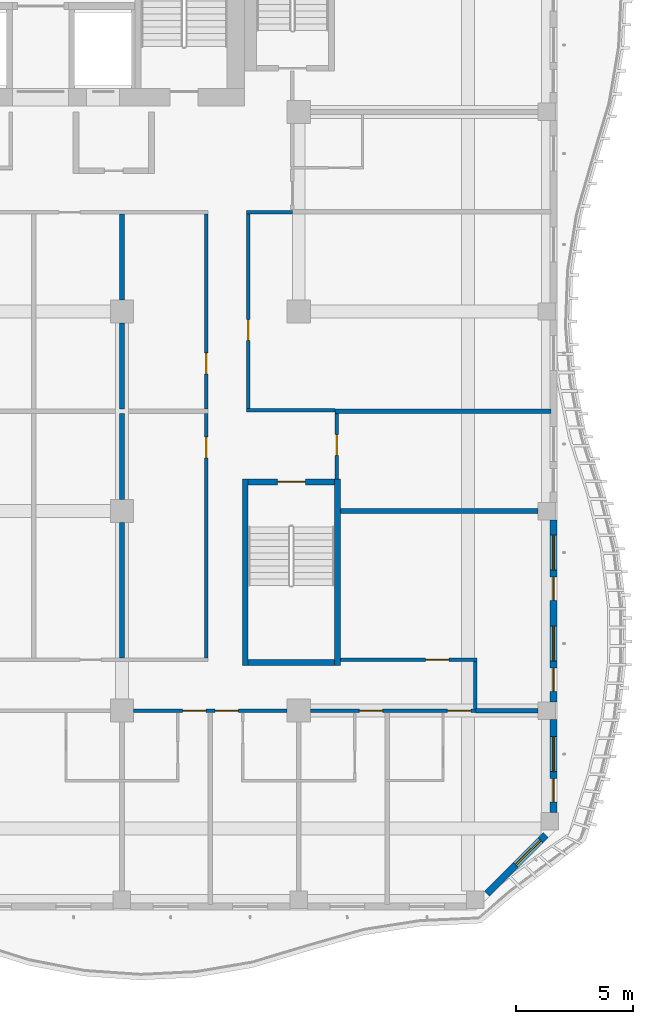
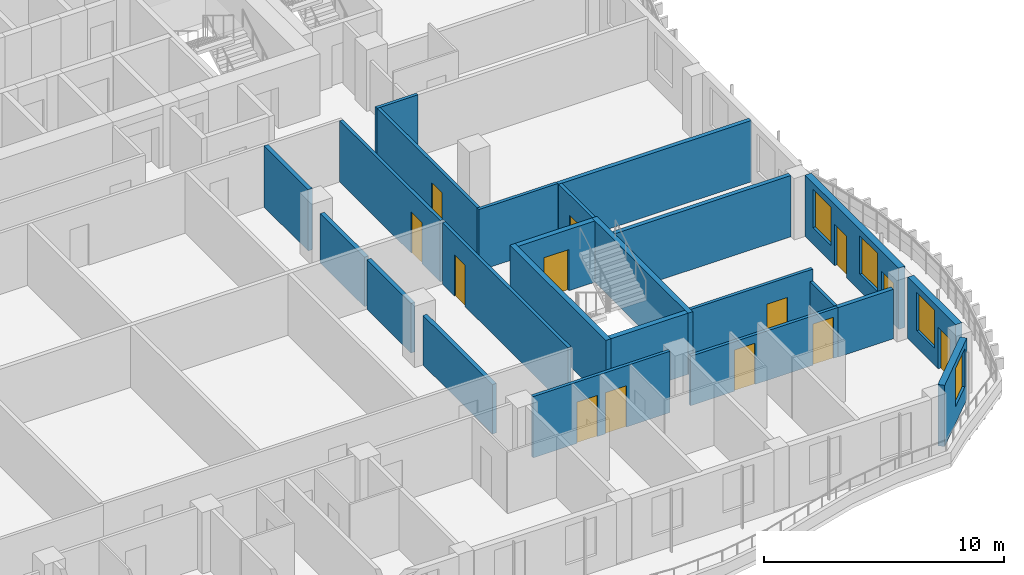
# One storey, part 5 of 21: 24 walls, 13 doors, 4 windows, 17 openings.
"""IFC4 building model written with IfcOpenShell, lengths in metres."""

from ifc_helpers import new_model, si_unit, direction, frame, frame_2d, origin, place, context, subcontext, project, spatial, rectangle, extrude, source, transform, mapped, material, layer, layer_set, type_object, element, fill, save


model = new_model("IFC4")

# Units and contexts
model_context = context("Model", 3, precision=1e-05, world=origin(), true_north=direction((0.0, 1.0)))
body_context = subcontext(model_context, "Body", "Model", "MODEL_VIEW")
ifc_project = project(units=[si_unit("LENGTHUNIT", "METRE"), si_unit("AREAUNIT", "SQUARE_METRE"), si_unit("VOLUMEUNIT", "CUBIC_METRE"), si_unit("PLANEANGLEUNIT", "RADIAN"), si_unit("MASSUNIT", "GRAM", prefix="KILO")], contexts=[model_context])

# Site, building, storey
site_placement = place(None, origin())
site = spatial("IfcSite", under=ifc_project, at=site_placement, CompositionType="ELEMENT")
building_placement = place(site_placement, origin())
building = spatial("IfcBuilding", under=site, at=building_placement, Name="Kilnfold Tower and Market Hall", CompositionType="ELEMENT")
storey_placement = place(building_placement, frame((0.0, 0.0, 216.89990234375)))
storey = spatial("IfcBuildingStorey", under=building, at=storey_placement, Name="L53", CompositionType="ELEMENT", Elevation=216.89990234375)

# Wall, openings, doors
ifc_material_1 = material(Name="Gypsum board on steel studs", Category="steel")
ifc_layer_1 = layer(ifc_material_1, 0.14990234375)
ifc_layer_set_1 = layer_set([ifc_layer_1], Name="Gypsum board on steel studs")
wall_type_1 = type_object("IfcWallType", Name="WALL CORRIDOR 150", PredefinedType="PARTITIONING", material=ifc_layer_set_1)
wall_1_placement = place(storey_placement, frame((13.0830078125, -17.699951171875, 0.0), z_axis=(0.0, 0.0, 1.0), x_axis=(1.0, 0.0, 0.0)))
wall_1 = element("IfcWall", 1, at=wall_1_placement, inside=storey, type_object=wall_type_1, Name="Partition LY31.5", PredefinedType="PARTITIONING", context=body_context, shape_type="SweptSolid", body=[
    extrude(rectangle(XDim=6.583984375, YDim=0.14990234375, at=frame_2d((3.2919921875, 0.0))), origin(), (0.0, 0.0, 1.0), 3.1201171875),
])
opening_1_placement = place(wall_1_placement, frame((2.10205078125, 0.0, 0.0)))
opening_1 = element("IfcOpeningElement", 2, at=opening_1_placement, cuts=wall_1, Name="Opening D1", PredefinedType="OPENING", context=body_context, shape_type="SweptSolid", body=[
    extrude(rectangle(XDim=1.0, YDim=2.10009765625, at=frame_2d((0.5, 1.050048828125))), frame((0.0, 0.0849609375, 0.0), z_axis=(0.0, -1.0, 0.0), x_axis=(1.0, 0.0, 0.0)), (0.0, 0.0, 1.0), 0.169921875),
])
opening_2_placement = place(wall_1_placement, frame((3.493896484375, 0.0, 0.0)))
opening_2 = element("IfcOpeningElement", 3, at=opening_2_placement, cuts=wall_1, Name="Opening D1", PredefinedType="OPENING", context=body_context, shape_type="SweptSolid", body=[
    extrude(rectangle(XDim=1.0, YDim=2.10009765625, at=frame_2d((0.5, 1.050048828125))), frame((0.0, 0.0849609375, 0.0), z_axis=(0.0, -1.0, 0.0), x_axis=(1.0, 0.0, 0.0)), (0.0, 0.0, 1.0), 0.169921875),
])
ifc_material_2 = material(Name="Timber veneer door leaf in steel frame", Category="steel")
door_type_1 = type_object("IfcDoorType", Name="DOOR ENTRY 1000 X2100", OperationType="NOTDEFINED", PredefinedType="DOOR", material=ifc_material_2)
door_1_placement = place(opening_1_placement, origin())
door_1 = element("IfcDoor", 4, at=door_1_placement, inside=storey, type_object=door_type_1, Name="Door D1", OperationType="SINGLE_SWING_RIGHT", OverallHeight=2.10009765625, OverallWidth=1.0, PredefinedType="DOOR", context=body_context, shape_type="SweptSolid", body=[
    extrude(rectangle(XDim=1.0, YDim=2.10009765625, at=frame_2d((0.5, 1.050048828125))), frame((0.0, 0.02490234375, 0.0), z_axis=(0.0, -1.0, 0.0), x_axis=(1.0, 0.0, 0.0)), (0.0, 0.0, 1.0), 0.050048828125),
])
fill(opening_1, door_1)
door_2_placement = place(opening_2_placement, origin())
door_2 = element("IfcDoor", 5, at=door_2_placement, inside=storey, type_object=door_type_1, Name="Door D1", OperationType="SINGLE_SWING_RIGHT", OverallHeight=2.10009765625, OverallWidth=1.0, PredefinedType="DOOR", context=body_context, shape_type="SweptSolid", body=[
    extrude(rectangle(XDim=1.0, YDim=2.10009765625, at=frame_2d((0.5, 1.050048828125))), frame((0.0, 0.02490234375, 0.0), z_axis=(0.0, -1.0, 0.0), x_axis=(1.0, 0.0, 0.0)), (0.0, 0.0, 1.0), 0.050048828125),
])
fill(opening_2, door_2)

wall_2_placement = place(storey_placement, frame((20.6669921875, -17.699951171875, 0.0), z_axis=(0.0, 0.0, 1.0), x_axis=(1.0, 0.0, 0.0)))
wall_2 = element("IfcWall", 6, at=wall_2_placement, inside=storey, type_object=wall_type_1, Name="Partition LY31.6", PredefinedType="PARTITIONING", context=body_context, shape_type="SweptSolid", body=[
    extrude(rectangle(XDim=7.0830078125, YDim=0.14990234375, at=frame_2d((3.54150390625, 0.0))), origin(), (0.0, 0.0, 1.0), 2.52001953125),
])
opening_3_placement = place(wall_2_placement, frame((2.10205078125, 0.0, 0.0)))
opening_3 = element("IfcOpeningElement", 7, at=opening_3_placement, cuts=wall_2, Name="Opening D1", PredefinedType="OPENING", context=body_context, shape_type="SweptSolid", body=[
    extrude(rectangle(XDim=1.0, YDim=2.10009765625, at=frame_2d((0.5, 1.050048828125))), frame((0.0, 0.0849609375, 0.0), z_axis=(0.0, -1.0, 0.0), x_axis=(1.0, 0.0, 0.0)), (0.0, 0.0, 1.0), 0.169921875),
])
opening_4_placement = place(wall_2_placement, frame((5.883056640625, 0.0, 0.0)))
opening_4 = element("IfcOpeningElement", 8, at=opening_4_placement, cuts=wall_2, Name="Opening D1", PredefinedType="OPENING", context=body_context, shape_type="SweptSolid", body=[
    extrude(rectangle(XDim=1.0, YDim=2.10009765625, at=frame_2d((0.5, 1.050048828125))), frame((0.0, 0.0849609375, 0.0), z_axis=(0.0, -1.0, 0.0), x_axis=(1.0, 0.0, 0.0)), (0.0, 0.0, 1.0), 0.169921875),
])
door_3_placement = place(opening_3_placement, origin())
door_3 = element("IfcDoor", 9, at=door_3_placement, inside=storey, type_object=door_type_1, Name="Door D1", OperationType="SINGLE_SWING_RIGHT", OverallHeight=2.10009765625, OverallWidth=1.0, PredefinedType="DOOR", context=body_context, shape_type="SweptSolid", body=[
    extrude(rectangle(XDim=1.0, YDim=2.10009765625, at=frame_2d((0.5, 1.050048828125))), frame((0.0, 0.02490234375, 0.0), z_axis=(0.0, -1.0, 0.0), x_axis=(1.0, 0.0, 0.0)), (0.0, 0.0, 1.0), 0.050048828125),
])
fill(opening_3, door_3)
door_4_placement = place(opening_4_placement, origin())
door_4 = element("IfcDoor", 10, at=door_4_placement, inside=storey, type_object=door_type_1, Name="Door D1", OperationType="SINGLE_SWING_RIGHT", OverallHeight=2.10009765625, OverallWidth=1.0, PredefinedType="DOOR", context=body_context, shape_type="SweptSolid", body=[
    extrude(rectangle(XDim=1.0, YDim=2.10009765625, at=frame_2d((0.5, 1.050048828125))), frame((0.0, 0.02490234375, 0.0), z_axis=(0.0, -1.0, 0.0), x_axis=(1.0, 0.0, 0.0)), (0.0, 0.0, 1.0), 0.050048828125),
])
fill(opening_4, door_4)

# Wall
wall_3_placement = place(storey_placement, frame((17.925048828125, 3.699951171875, 0.0), z_axis=(0.0, 0.0, 1.0), x_axis=(1.0, 0.0, 0.0)))
element("IfcWall", 11, at=wall_3_placement, inside=storey, type_object=wall_type_1, Name="Partition LY31.25", PredefinedType="PARTITIONING", context=body_context, shape_type="SweptSolid", body=[
    extrude(rectangle(XDim=1.974853515625, YDim=0.14990234375, at=frame_2d((0.9873046875, 0.0))), origin(), (0.0, 0.0, 1.0), 3.1201171875),
])

# Wall, opening, door
wall_4_placement = place(storey_placement, frame((18.0, -4.72509765625, 0.0), z_axis=(0.0, 0.0, 1.0), x_axis=(0.0, 1.0, 0.0)))
wall_4 = element("IfcWall", 12, at=wall_4_placement, inside=storey, type_object=wall_type_1, Name="Partition LY31.26", PredefinedType="PARTITIONING", context=body_context, shape_type="SweptSolid", body=[
    extrude(rectangle(XDim=8.35009765625, YDim=0.14990234375, at=frame_2d((4.175048828125, 0.0))), origin(), (0.0, 0.0, 1.0), 3.1201171875),
])
opening_5_placement = place(wall_4_placement, frame((2.9189453125, 0.0, 0.0)))
opening_5 = element("IfcOpeningElement", 13, at=opening_5_placement, cuts=wall_4, Name="Opening D2", PredefinedType="OPENING", context=body_context, shape_type="SweptSolid", body=[
    extrude(rectangle(XDim=0.89990234375, YDim=2.10009765625, at=frame_2d((0.449951171875, 1.050048828125))), frame((0.0, 0.0849609375, 0.0), z_axis=(0.0, -1.0, 0.0), x_axis=(1.0, 0.0, 0.0)), (0.0, 0.0, 1.0), 0.169921875),
])
ifc_material_3 = material(Name="Timber veneer door leaf in steel frame", Category="steel")
door_type_2 = type_object("IfcDoorType", Name="DOOR ROOM 900 X2100", OperationType="NOTDEFINED", PredefinedType="DOOR", material=ifc_material_3)
door_5_placement = place(opening_5_placement, origin())
door_5 = element("IfcDoor", 14, at=door_5_placement, inside=storey, type_object=door_type_2, Name="Door D2", OperationType="SINGLE_SWING_RIGHT", OverallHeight=2.10009765625, OverallWidth=0.89990234375, PredefinedType="DOOR", context=body_context, shape_type="SweptSolid", body=[
    extrude(rectangle(XDim=0.89990234375, YDim=2.10009765625, at=frame_2d((0.449951171875, 1.050048828125))), frame((0.0, 0.02490234375, 0.0), z_axis=(0.0, -1.0, 0.0), x_axis=(1.0, 0.0, 0.0)), (0.0, 0.0, 1.0), 0.050048828125),
])
fill(opening_5, door_5)

# Wall
wall_5_placement = place(storey_placement, frame((17.925048828125, -4.800048828125, 0.0), z_axis=(0.0, 0.0, 1.0), x_axis=(1.0, 0.0, 0.0)))
element("IfcWall", 15, at=wall_5_placement, inside=storey, type_object=wall_type_1, Name="Partition LY31.27", PredefinedType="PARTITIONING", context=body_context, shape_type="SweptSolid", body=[
    extrude(rectangle(XDim=3.802001953125, YDim=0.14990234375, at=frame_2d((1.90087890625, 0.0))), origin(), (0.0, 0.0, 1.0), 3.1201171875),
])

# Wall, opening, door
wall_6_placement = place(storey_placement, frame((21.800048828125, -7.75, 0.0), z_axis=(0.0, 0.0, 1.0), x_axis=(0.0, 1.0, 0.0)))
wall_6 = element("IfcWall", 16, at=wall_6_placement, inside=storey, type_object=wall_type_1, Name="Partition LY31.28", PredefinedType="PARTITIONING", context=body_context, shape_type="SweptSolid", body=[
    extrude(rectangle(XDim=2.81689453125, YDim=0.14990234375, at=frame_2d((1.408447265625, 0.0))), origin(), (0.0, 0.0, 1.0), 3.1201171875),
])
opening_6_placement = place(wall_6_placement, frame((1.009033203125, 0.0, 0.0)))
opening_6 = element("IfcOpeningElement", 17, at=opening_6_placement, cuts=wall_6, Name="Opening D2", PredefinedType="OPENING", context=body_context, shape_type="SweptSolid", body=[
    extrude(rectangle(XDim=0.89990234375, YDim=2.10009765625, at=frame_2d((0.449951171875, 1.050048828125))), frame((0.0, 0.0849609375, 0.0), z_axis=(0.0, -1.0, 0.0), x_axis=(1.0, 0.0, 0.0)), (0.0, 0.0, 1.0), 0.169921875),
])
door_6_placement = place(opening_6_placement, origin())
door_6 = element("IfcDoor", 18, at=door_6_placement, inside=storey, type_object=door_type_2, Name="Door D2", OperationType="SINGLE_SWING_LEFT", OverallHeight=2.10009765625, OverallWidth=0.89990234375, PredefinedType="DOOR", context=body_context, shape_type="SweptSolid", body=[
    extrude(rectangle(XDim=0.89990234375, YDim=2.10009765625, at=frame_2d((0.449951171875, 1.050048828125))), frame((0.0, 0.02490234375, 0.0), z_axis=(0.0, -1.0, 0.0), x_axis=(1.0, 0.0, 0.0)), (0.0, 0.0, 1.0), 0.050048828125),
])
fill(opening_6, door_6)

wall_7_placement = place(storey_placement, frame((21.949951171875, -15.5, 0.0), z_axis=(0.0, 0.0, 1.0), x_axis=(1.0, 0.0, 0.0)))
wall_7 = element("IfcWall", 19, at=wall_7_placement, inside=storey, type_object=wall_type_1, Name="Partition LY31.29", PredefinedType="PARTITIONING", context=body_context, shape_type="SweptSolid", body=[
    extrude(rectangle(XDim=5.875, YDim=0.14990234375, at=frame_2d((2.9375, 0.0))), origin(), (0.0, 0.0, 1.0), 3.1201171875),
])
opening_7_placement = place(wall_7_placement, frame((3.657958984375, 0.0, 0.0)))
opening_7 = element("IfcOpeningElement", 20, at=opening_7_placement, cuts=wall_7, Name="Opening D4", PredefinedType="OPENING", context=body_context, shape_type="SweptSolid", body=[
    extrude(rectangle(XDim=1.0, YDim=2.10009765625, at=frame_2d((0.5, 1.050048828125))), frame((0.0, 0.0849609375, 0.0), z_axis=(0.0, -1.0, 0.0), x_axis=(1.0, 0.0, 0.0)), (0.0, 0.0, 1.0), 0.169921875),
])
ifc_material_4 = material(Name="Timber veneer door leaf in steel frame", Category="steel")
door_type_3 = type_object("IfcDoorType", Name="DOOR SERVICE 1000 X2100", OperationType="NOTDEFINED", PredefinedType="DOOR", material=ifc_material_4)
door_7_placement = place(opening_7_placement, origin())
door_7 = element("IfcDoor", 21, at=door_7_placement, inside=storey, type_object=door_type_3, Name="Door D4", OperationType="SINGLE_SWING_LEFT", OverallHeight=2.10009765625, OverallWidth=1.0, PredefinedType="DOOR", context=body_context, shape_type="SweptSolid", body=[
    extrude(rectangle(XDim=1.0, YDim=2.10009765625, at=frame_2d((0.5, 1.050048828125))), frame((0.0, 0.02490234375, 0.0), z_axis=(0.0, -1.0, 0.0), x_axis=(1.0, 0.0, 0.0)), (0.0, 0.0, 1.0), 0.050048828125),
])
fill(opening_7, door_7)

# Wall
wall_8_placement = place(storey_placement, frame((27.75, -17.597900390625, 0.0), z_axis=(0.0, 0.0, 1.0), x_axis=(0.0, 1.0, 0.0)))
element("IfcWall", 22, at=wall_8_placement, inside=storey, type_object=wall_type_1, Name="Partition LY31.30", PredefinedType="PARTITIONING", context=body_context, shape_type="SweptSolid", body=[
    extrude(rectangle(XDim=2.02294921875, YDim=0.14990234375, at=frame_2d((1.011474609375, 0.0))), origin(), (0.0, 0.0, 1.0), 2.52001953125),
])

# Wall, opening, door
wall_9_placement = place(storey_placement, frame((16.199951171875, -4.7529296875, 0.0), z_axis=(0.0, 0.0, 1.0), x_axis=(0.0, 1.0, 0.0)))
wall_9 = element("IfcWall", 23, at=wall_9_placement, inside=storey, type_object=wall_type_1, Name="Partition LY31.37", PredefinedType="PARTITIONING", context=body_context, shape_type="SweptSolid", body=[
    extrude(rectangle(XDim=8.3779296875, YDim=0.14990234375, at=frame_2d((4.18896484375, 0.0))), origin(), (0.0, 0.0, 1.0), 3.1201171875),
])
opening_8_placement = place(wall_9_placement, frame((1.513916015625, 0.0, 0.0)))
opening_8 = element("IfcOpeningElement", 24, at=opening_8_placement, cuts=wall_9, Name="Opening D2", PredefinedType="OPENING", context=body_context, shape_type="SweptSolid", body=[
    extrude(rectangle(XDim=0.89990234375, YDim=2.10009765625, at=frame_2d((0.449951171875, 1.050048828125))), frame((0.0, 0.0849609375, 0.0), z_axis=(0.0, -1.0, 0.0), x_axis=(1.0, 0.0, 0.0)), (0.0, 0.0, 1.0), 0.169921875),
])
door_8_placement = place(opening_8_placement, origin())
door_8 = element("IfcDoor", 25, at=door_8_placement, inside=storey, type_object=door_type_2, Name="Door D2", OperationType="SINGLE_SWING_RIGHT", OverallHeight=2.10009765625, OverallWidth=0.89990234375, PredefinedType="DOOR", context=body_context, shape_type="SweptSolid", body=[
    extrude(rectangle(XDim=0.89990234375, YDim=2.10009765625, at=frame_2d((0.449951171875, 1.050048828125))), frame((0.0, 0.02490234375, 0.0), z_axis=(0.0, -1.0, 0.0), x_axis=(1.0, 0.0, 0.0)), (0.0, 0.0, 1.0), 0.050048828125),
])
fill(opening_8, door_8)

wall_10_placement = place(storey_placement, frame((16.199951171875, -15.425048828125, 0.0), z_axis=(0.0, 0.0, 1.0), x_axis=(0.0, 1.0, 0.0)))
wall_10 = element("IfcWall", 26, at=wall_10_placement, inside=storey, type_object=wall_type_1, Name="Partition LY31.41", PredefinedType="PARTITIONING", context=body_context, shape_type="SweptSolid", body=[
    extrude(rectangle(XDim=10.491943359375, YDim=0.14990234375, at=frame_2d((5.24609375, 0.0))), origin(), (0.0, 0.0, 1.0), 3.1201171875),
])
opening_9_placement = place(wall_10_placement, frame((8.583984375, 0.0, 0.0)))
opening_9 = element("IfcOpeningElement", 27, at=opening_9_placement, cuts=wall_10, Name="Opening D2", PredefinedType="OPENING", context=body_context, shape_type="SweptSolid", body=[
    extrude(rectangle(XDim=0.89990234375, YDim=2.10009765625, at=frame_2d((0.449951171875, 1.050048828125))), frame((0.0, 0.0849609375, 0.0), z_axis=(0.0, -1.0, 0.0), x_axis=(1.0, 0.0, 0.0)), (0.0, 0.0, 1.0), 0.169921875),
])
door_9_placement = place(opening_9_placement, origin())
door_9 = element("IfcDoor", 28, at=door_9_placement, inside=storey, type_object=door_type_2, Name="Door D2", OperationType="SINGLE_SWING_LEFT", OverallHeight=2.10009765625, OverallWidth=0.89990234375, PredefinedType="DOOR", context=body_context, shape_type="SweptSolid", body=[
    extrude(rectangle(XDim=0.89990234375, YDim=2.10009765625, at=frame_2d((0.449951171875, 1.050048828125))), frame((0.0, 0.02490234375, 0.0), z_axis=(0.0, -1.0, 0.0), x_axis=(1.0, 0.0, 0.0)), (0.0, 0.0, 1.0), 0.050048828125),
])
fill(opening_9, door_9)

# Walls
ifc_material_5 = material(Name="Gypsum board on steel studs", Category="steel")
ifc_layer_2 = layer(ifc_material_5, 0.199951171875)
ifc_layer_set_2 = layer_set([ifc_layer_2], Name="Gypsum board on steel studs")
wall_type_2 = type_object("IfcWallType", Name="WALL PARTY 200", PredefinedType="PARTITIONING", material=ifc_layer_set_2)
wall_11_placement = place(storey_placement, frame((27.751953125, -17.68798828125, 0.0), z_axis=(0.0, 0.0, 1.0), x_axis=(1.0, 0.0, 0.0)))
element("IfcWall", 29, at=wall_11_placement, inside=storey, type_object=wall_type_2, Name="Partition LY31.76", PredefinedType="PARTITIONING", context=body_context, shape_type="SweptSolid", body=[
    extrude(rectangle(XDim=2.673095703125, YDim=0.199951171875, at=frame_2d((1.33642578125, 0.0))), origin(), (0.0, 0.0, 1.0), 2.52001953125),
])
wall_12_placement = place(storey_placement, frame((21.72705078125, -4.843017578125, 0.0), z_axis=(0.0, 0.0, 1.0), x_axis=(1.0, 0.0, 0.0)))
element("IfcWall", 30, at=wall_12_placement, inside=storey, type_object=wall_type_2, Name="Partition LY31.93", PredefinedType="PARTITIONING", context=body_context, shape_type="SweptSolid", body=[
    extrude(rectangle(XDim=9.27294921875, YDim=0.199951171875, at=frame_2d((4.636474609375, 0.0))), origin(), (0.0, 0.0, 1.0), 3.1201171875),
])
wall_13_placement = place(storey_placement, frame((21.949951171875, -9.125, 0.0), z_axis=(0.0, 0.0, 1.0), x_axis=(1.0, 0.0, 0.0)))
element("IfcWall", 31, at=wall_13_placement, inside=storey, type_object=wall_type_2, Name="Partition LY31.94", PredefinedType="PARTITIONING", context=body_context, shape_type="SweptSolid", body=[
    extrude(rectangle(XDim=8.47509765625, YDim=0.199951171875, at=frame_2d((4.237548828125, 0.0))), origin(), (0.0, 0.0, 1.0), 3.1201171875),
])
wall_14_placement = place(storey_placement, frame((12.5830078125, -0.06201171875, 0.0), z_axis=(0.0, 0.0, 1.0), x_axis=(0.0, 1.0, 0.0)))
element("IfcWall", 32, at=wall_14_placement, inside=storey, type_object=wall_type_2, Name="Partition LY31.99", PredefinedType="PARTITIONING", context=body_context, shape_type="SweptSolid", body=[
    extrude(rectangle(XDim=3.68505859375, YDim=0.199951171875, at=frame_2d((1.842529296875, 0.0))), origin(), (0.0, 0.0, 1.0), 3.1201171875),
])
wall_15_placement = place(storey_placement, frame((12.5830078125, -4.742919921875, 0.0), z_axis=(0.0, 0.0, 1.0), x_axis=(0.0, 1.0, 0.0)))
element("IfcWall", 33, at=wall_15_placement, inside=storey, type_object=wall_type_2, Name="Partition LY31.100", PredefinedType="PARTITIONING", context=body_context, shape_type="SweptSolid", body=[
    extrude(rectangle(XDim=3.680908203125, YDim=0.199951171875, at=frame_2d((1.84033203125, 0.0))), origin(), (0.0, 0.0, 1.0), 2.52001953125),
])
wall_16_placement = place(storey_placement, frame((12.5830078125, -8.625, 0.0), z_axis=(0.0, 0.0, 1.0), x_axis=(0.0, 1.0, 0.0)))
element("IfcWall", 34, at=wall_16_placement, inside=storey, type_object=wall_type_2, Name="Partition LY31.104", PredefinedType="PARTITIONING", context=body_context, shape_type="SweptSolid", body=[
    extrude(rectangle(XDim=3.681884765625, YDim=0.199951171875, at=frame_2d((1.8408203125, 0.0))), origin(), (0.0, 0.0, 1.0), 2.52001953125),
])
wall_17_placement = place(storey_placement, frame((12.5830078125, -15.423095703125, 0.0), z_axis=(0.0, 0.0, 1.0), x_axis=(0.0, 1.0, 0.0)))
element("IfcWall", 35, at=wall_17_placement, inside=storey, type_object=wall_type_2, Name="Partition LY31.105", PredefinedType="PARTITIONING", context=body_context, shape_type="SweptSolid", body=[
    extrude(rectangle(XDim=5.798095703125, YDim=0.199951171875, at=frame_2d((2.89892578125, 0.0))), origin(), (0.0, 0.0, 1.0), 2.52001953125),
])
ifc_material_6 = material(Name="Concrete C60", Category="concrete")
ifc_layer_3 = layer(ifc_material_6, 0.25)
ifc_layer_set_3 = layer_set([ifc_layer_3], Name="Concrete C60")
wall_type_3 = type_object("IfcWallType", Name="CORE WALL 250 C60", PredefinedType="SHEAR", material=ifc_layer_set_3)
shared_shape_1 = source(origin(), body_context, "Body", "SweptSolid", [
    extrude(rectangle(XDim=3.699951171875, YDim=0.25, at=frame_2d((1.85009765625, 0.0))), origin(), (0.0, 0.0, 1.0), 3.1201171875),
])
wall_18_placement = place(storey_placement, frame((18.0, -15.625, 0.0), z_axis=(0.0, 0.0, 1.0), x_axis=(1.0, 0.0, 0.0)))
element("IfcWall", 36, at=wall_18_placement, inside=storey, type_object=wall_type_3, Name="Stair enclosure ST4", PredefinedType="SHEAR", context=body_context, shape_type="MappedRepresentation", body=[
    mapped(shared_shape_1, transform((0.0, 0.0, 0.0))),
])

# Wall, opening, door
wall_19_placement = place(storey_placement, frame((18.0, -7.875, 0.0), z_axis=(0.0, 0.0, 1.0), x_axis=(1.0, 0.0, 0.0)))
wall_19 = element("IfcWall", 37, at=wall_19_placement, inside=storey, type_object=wall_type_3, Name="Stair enclosure ST4", PredefinedType="SHEAR", context=body_context, shape_type="MappedRepresentation", body=[
    mapped(shared_shape_1, transform((0.0, 0.0, 0.0))),
])
opening_10_placement = place(wall_19_placement, frame((1.25, 0.0, 0.0)))
opening_10 = element("IfcOpeningElement", 38, at=opening_10_placement, cuts=wall_19, Name="Opening SD1", PredefinedType="OPENING", context=body_context, shape_type="SweptSolid", body=[
    extrude(rectangle(XDim=1.199951171875, YDim=2.10009765625, at=frame_2d((0.60009765625, 1.050048828125))), frame((0.0, 0.135009765625, 0.0), z_axis=(0.0, -1.0, 0.0), x_axis=(1.0, 0.0, 0.0)), (0.0, 0.0, 1.0), 0.27001953125),
])
ifc_material_7 = material(Name="Steel door set with fire-resisting leaf", Category="steel")
door_type_4 = type_object("IfcDoorType", Name="STAIR FLOOR DOOR 1200X2100", OperationType="NOTDEFINED", PredefinedType="DOOR", material=ifc_material_7)
door_10_placement = place(opening_10_placement, origin())
door_10 = element("IfcDoor", 39, at=door_10_placement, inside=storey, type_object=door_type_4, Name="Exit stair ST4 door", OperationType="DOUBLE_DOOR_SINGLE_SWING", OverallHeight=2.10009765625, OverallWidth=1.199951171875, PredefinedType="DOOR", context=body_context, shape_type="SweptSolid", body=[
    extrude(rectangle(XDim=1.199951171875, YDim=2.10009765625, at=frame_2d((0.60009765625, 1.050048828125))), frame((0.0, 0.02490234375, 0.0), z_axis=(0.0, -1.0, 0.0), x_axis=(1.0, 0.0, 0.0)), (0.0, 0.0, 1.0), 0.050048828125),
])
fill(opening_10, door_10)

# Walls
shared_shape_2 = source(origin(), body_context, "Body", "SweptSolid", [
    extrude(rectangle(XDim=8.0, YDim=0.25, at=frame_2d((4.0, 0.0))), origin(), (0.0, 0.0, 1.0), 3.1201171875),
])
for number, where, z_axis, x_axis, name in (
    (40, (17.875, -15.75, 0.0), (0.0, 0.0, 1.0), (0.0, 1.0, 0.0), "Stair enclosure ST4"),
    (41, (21.824951171875, -15.75, 0.0), (0.0, 0.0, 1.0), (0.0, 1.0, 0.0), "Stair enclosure ST4"),
):
    element("IfcWall", number, at=place(storey_placement, frame(where, z_axis=z_axis, x_axis=x_axis)), inside=storey, type_object=wall_type_3, Name=name, PredefinedType="SHEAR", context=body_context, shape_type="MappedRepresentation", body=[
        mapped(shared_shape_2, transform((0.0, 0.0, 0.0))),
    ])

# Wall, opening, window
ifc_material_8 = material(Name="Precast concrete C50/60", Category="concrete")
ifc_layer_4 = layer(ifc_material_8, 0.300048828125)
ifc_layer_set_4 = layer_set([ifc_layer_4], Name="Precast concrete C50/60")
wall_type_4 = type_object("IfcWallType", Name="PRECAST WALL 300", PredefinedType="SOLIDWALL", material=ifc_layer_set_4)
shared_shape_3 = source(origin(), body_context, "Body", "SweptSolid", [
    extrude(rectangle(XDim=3.571044921875, YDim=0.300048828125, at=frame_2d((1.78564453125, 0.0))), origin(), (0.0, 0.0, 1.0), 3.1201171875),
])
wall_20_placement = place(storey_placement, frame((28.243896484375, -25.5439453125, 0.0), z_axis=(0.0, 0.0, 1.0), x_axis=(0.707072595841, 0.707140964879, 0.0)))
wall_20 = element("IfcWall", 42, at=wall_20_placement, inside=storey, type_object=wall_type_4, Name="External wall L53 SE", PredefinedType="SOLIDWALL", context=body_context, shape_type="MappedRepresentation", body=[
    mapped(shared_shape_3, transform((0.0, 0.0, 0.0))),
])
opening_11_placement = place(wall_20_placement, frame((1.75, 0.0, 0.85009765625)))
opening_11 = element("IfcOpeningElement", 43, at=opening_11_placement, cuts=wall_20, Name="Opening W4", PredefinedType="OPENING", context=body_context, shape_type="SweptSolid", body=[
    extrude(rectangle(XDim=1.5, YDim=1.949951171875, at=frame_2d((0.75, 0.97509765625))), frame((0.0, 0.16015625, 0.0), z_axis=(0.0, -1.0, 0.0), x_axis=(1.0, 0.0, 0.0)), (0.0, 0.0, 1.0), 0.320068359375),
])
ifc_material_9 = material(Name="Aluminium frame and double glazing", Category="aluminium")
window_type = type_object("IfcWindowType", Name="WINDOW W4 1500X1950", PartitioningType="SINGLE_PANEL", PredefinedType="WINDOW", material=ifc_material_9)
window_1_placement = place(opening_11_placement, origin())
window_1 = element("IfcWindow", 44, at=window_1_placement, inside=storey, type_object=window_type, Name="Window W4 L53 SE-1", OverallHeight=1.949951171875, OverallWidth=1.5, PartitioningType="SINGLE_PANEL", PredefinedType="WINDOW", context=body_context, shape_type="SweptSolid", body=[
    extrude(rectangle(XDim=1.5, YDim=1.949951171875, at=frame_2d((0.75, 0.97509765625))), frame((0.0, 0.030029296875, 0.0), z_axis=(0.0, -1.0, 0.0), x_axis=(1.0, 0.0, 0.0)), (0.0, 0.0, 1.0), 0.06005859375),
])
fill(opening_11, window_1)

# Wall, openings, door, window
shared_shape_4 = source(origin(), body_context, "Body", "SweptSolid", [
    extrude(rectangle(XDim=3.994384765625, YDim=0.300048828125, at=frame_2d((1.9970703125, 0.0))), origin(), (0.0, 0.0, 1.0), 3.1201171875),
])
wall_21_placement = place(storey_placement, frame((31.10009765625, -22.056884765625, 0.0), z_axis=(0.0, 0.0, 1.0), x_axis=(0.0, 1.0, 0.0)))
wall_21 = element("IfcWall", 45, at=wall_21_placement, inside=storey, type_object=wall_type_4, Name="External wall L53 E", PredefinedType="SOLIDWALL", context=body_context, shape_type="MappedRepresentation", body=[
    mapped(shared_shape_4, transform((0.0, 0.0, 0.0))),
])
opening_12_placement = place(wall_21_placement, frame((1.75, 0.0, 0.85009765625)))
opening_12 = element("IfcOpeningElement", 46, at=opening_12_placement, cuts=wall_21, Name="Opening W4", PredefinedType="OPENING", context=body_context, shape_type="SweptSolid", body=[
    extrude(rectangle(XDim=1.5, YDim=1.949951171875, at=frame_2d((0.75, 0.97509765625))), frame((0.0, 0.16015625, 0.0), z_axis=(0.0, -1.0, 0.0), x_axis=(1.0, 0.0, 0.0)), (0.0, 0.0, 1.0), 0.320068359375),
])
opening_13_placement = place(wall_21_placement, frame((0.449951171875, 0.0, 0.0)))
opening_13 = element("IfcOpeningElement", 47, at=opening_13_placement, cuts=wall_21, Name="Opening BD1", PredefinedType="OPENING", context=body_context, shape_type="SweptSolid", body=[
    extrude(rectangle(XDim=1.0, YDim=2.10009765625, at=frame_2d((0.5, 1.050048828125))), frame((0.0, 0.16015625, 0.0), z_axis=(0.0, -1.0, 0.0), x_axis=(1.0, 0.0, 0.0)), (0.0, 0.0, 1.0), 0.320068359375),
])
ifc_material_10 = material(Name="Aluminium frame and double glazing", Category="aluminium")
door_type_5 = type_object("IfcDoorType", Name="BALCONY DOOR 1000X2100", OperationType="NOTDEFINED", PredefinedType="DOOR", material=ifc_material_10)
door_11_placement = place(opening_13_placement, origin())
door_11 = element("IfcDoor", 48, at=door_11_placement, inside=storey, type_object=door_type_5, Name="Balcony door BD1 L53 E-1", OperationType="SINGLE_SWING_LEFT", OverallHeight=2.10009765625, OverallWidth=1.0, PredefinedType="DOOR", context=body_context, shape_type="SweptSolid", body=[
    extrude(rectangle(XDim=1.0, YDim=2.10009765625, at=frame_2d((0.5, 1.050048828125))), frame((0.0, 0.02490234375, 0.0), z_axis=(0.0, -1.0, 0.0), x_axis=(1.0, 0.0, 0.0)), (0.0, 0.0, 1.0), 0.050048828125),
])
fill(opening_13, door_11)
window_2_placement = place(opening_12_placement, origin())
window_2 = element("IfcWindow", 49, at=window_2_placement, inside=storey, type_object=window_type, Name="Window W4 L53 E-1", OverallHeight=1.949951171875, OverallWidth=1.5, PartitioningType="SINGLE_PANEL", PredefinedType="WINDOW", context=body_context, shape_type="SweptSolid", body=[
    extrude(rectangle(XDim=1.5, YDim=1.949951171875, at=frame_2d((0.75, 0.97509765625))), frame((0.0, 0.030029296875, 0.0), z_axis=(0.0, -1.0, 0.0), x_axis=(1.0, 0.0, 0.0)), (0.0, 0.0, 1.0), 0.06005859375),
])
fill(opening_12, window_2)

# Wall, openings, doors, windows
shared_shape_5 = source(origin(), body_context, "Body", "SweptSolid", [
    extrude(rectangle(XDim=7.8125, YDim=0.300048828125, at=frame_2d((3.90625, 0.0))), origin(), (0.0, 0.0, 1.0), 3.1201171875),
])
wall_22_placement = place(storey_placement, frame((31.10009765625, -17.3125, 0.0), z_axis=(0.0, 0.0, 1.0), x_axis=(0.0, 1.0, 0.0)))
wall_22 = element("IfcWall", 50, at=wall_22_placement, inside=storey, type_object=wall_type_4, Name="External wall L53 E", PredefinedType="SOLIDWALL", context=body_context, shape_type="MappedRepresentation", body=[
    mapped(shared_shape_5, transform((0.0, 0.0, 0.0))),
])
opening_14_placement = place(wall_22_placement, frame((1.75, 0.0, 0.85009765625)))
opening_14 = element("IfcOpeningElement", 51, at=opening_14_placement, cuts=wall_22, Name="Opening W4", PredefinedType="OPENING", context=body_context, shape_type="SweptSolid", body=[
    extrude(rectangle(XDim=1.5, YDim=1.949951171875, at=frame_2d((0.75, 0.97509765625))), frame((0.0, 0.16015625, 0.0), z_axis=(0.0, -1.0, 0.0), x_axis=(1.0, 0.0, 0.0)), (0.0, 0.0, 1.0), 0.320068359375),
])
opening_15_placement = place(wall_22_placement, frame((0.449951171875, 0.0, 0.0)))
opening_15 = element("IfcOpeningElement", 52, at=opening_15_placement, cuts=wall_22, Name="Opening BD1", PredefinedType="OPENING", context=body_context, shape_type="SweptSolid", body=[
    extrude(rectangle(XDim=1.0, YDim=2.10009765625, at=frame_2d((0.5, 1.050048828125))), frame((0.0, 0.16015625, 0.0), z_axis=(0.0, -1.0, 0.0), x_axis=(1.0, 0.0, 0.0)), (0.0, 0.0, 1.0), 0.320068359375),
])
opening_16_placement = place(wall_22_placement, frame((5.65625, 0.0, 0.85009765625)))
opening_16 = element("IfcOpeningElement", 53, at=opening_16_placement, cuts=wall_22, Name="Opening W4", PredefinedType="OPENING", context=body_context, shape_type="SweptSolid", body=[
    extrude(rectangle(XDim=1.5, YDim=1.949951171875, at=frame_2d((0.75, 0.97509765625))), frame((0.0, 0.16015625, 0.0), z_axis=(0.0, -1.0, 0.0), x_axis=(1.0, 0.0, 0.0)), (0.0, 0.0, 1.0), 0.320068359375),
])
opening_17_placement = place(wall_22_placement, frame((4.356201171875, 0.0, 0.0)))
opening_17 = element("IfcOpeningElement", 54, at=opening_17_placement, cuts=wall_22, Name="Opening BD1", PredefinedType="OPENING", context=body_context, shape_type="SweptSolid", body=[
    extrude(rectangle(XDim=1.0, YDim=2.10009765625, at=frame_2d((0.5, 1.050048828125))), frame((0.0, 0.16015625, 0.0), z_axis=(0.0, -1.0, 0.0), x_axis=(1.0, 0.0, 0.0)), (0.0, 0.0, 1.0), 0.320068359375),
])
door_12_placement = place(opening_15_placement, origin())
door_12 = element("IfcDoor", 55, at=door_12_placement, inside=storey, type_object=door_type_5, Name="Balcony door BD1 L53 E-1", OperationType="SINGLE_SWING_LEFT", OverallHeight=2.10009765625, OverallWidth=1.0, PredefinedType="DOOR", context=body_context, shape_type="SweptSolid", body=[
    extrude(rectangle(XDim=1.0, YDim=2.10009765625, at=frame_2d((0.5, 1.050048828125))), frame((0.0, 0.02490234375, 0.0), z_axis=(0.0, -1.0, 0.0), x_axis=(1.0, 0.0, 0.0)), (0.0, 0.0, 1.0), 0.050048828125),
])
fill(opening_15, door_12)
door_13_placement = place(opening_17_placement, origin())
door_13 = element("IfcDoor", 56, at=door_13_placement, inside=storey, type_object=door_type_5, Name="Balcony door BD1 L53 E-2", OperationType="SINGLE_SWING_RIGHT", OverallHeight=2.10009765625, OverallWidth=1.0, PredefinedType="DOOR", context=body_context, shape_type="SweptSolid", body=[
    extrude(rectangle(XDim=1.0, YDim=2.10009765625, at=frame_2d((0.5, 1.050048828125))), frame((0.0, 0.02490234375, 0.0), z_axis=(0.0, -1.0, 0.0), x_axis=(1.0, 0.0, 0.0)), (0.0, 0.0, 1.0), 0.050048828125),
])
fill(opening_17, door_13)
window_3_placement = place(opening_14_placement, origin())
window_3 = element("IfcWindow", 57, at=window_3_placement, inside=storey, type_object=window_type, Name="Window W4 L53 E-1", OverallHeight=1.949951171875, OverallWidth=1.5, PartitioningType="SINGLE_PANEL", PredefinedType="WINDOW", context=body_context, shape_type="SweptSolid", body=[
    extrude(rectangle(XDim=1.5, YDim=1.949951171875, at=frame_2d((0.75, 0.97509765625))), frame((0.0, 0.030029296875, 0.0), z_axis=(0.0, -1.0, 0.0), x_axis=(1.0, 0.0, 0.0)), (0.0, 0.0, 1.0), 0.06005859375),
])
fill(opening_14, window_3)
window_4_placement = place(opening_16_placement, origin())
window_4 = element("IfcWindow", 58, at=window_4_placement, inside=storey, type_object=window_type, Name="Window W4 L53 E-2", OverallHeight=1.949951171875, OverallWidth=1.5, PartitioningType="SINGLE_PANEL", PredefinedType="WINDOW", context=body_context, shape_type="SweptSolid", body=[
    extrude(rectangle(XDim=1.5, YDim=1.949951171875, at=frame_2d((0.75, 0.97509765625))), frame((0.0, 0.030029296875, 0.0), z_axis=(0.0, -1.0, 0.0), x_axis=(1.0, 0.0, 0.0)), (0.0, 0.0, 1.0), 0.06005859375),
])
fill(opening_16, window_4)

save(model, "model.ifc")
